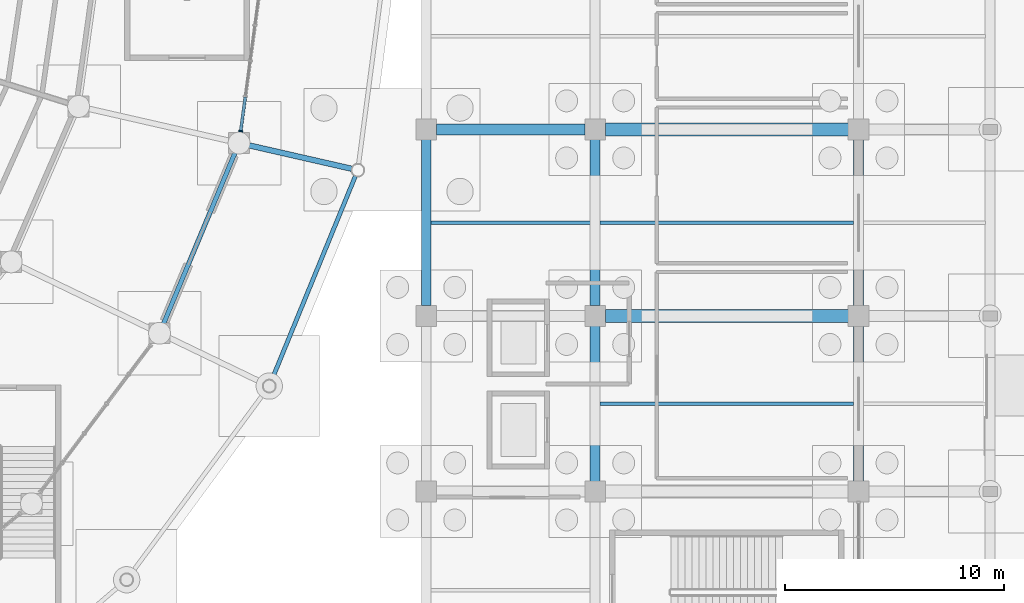
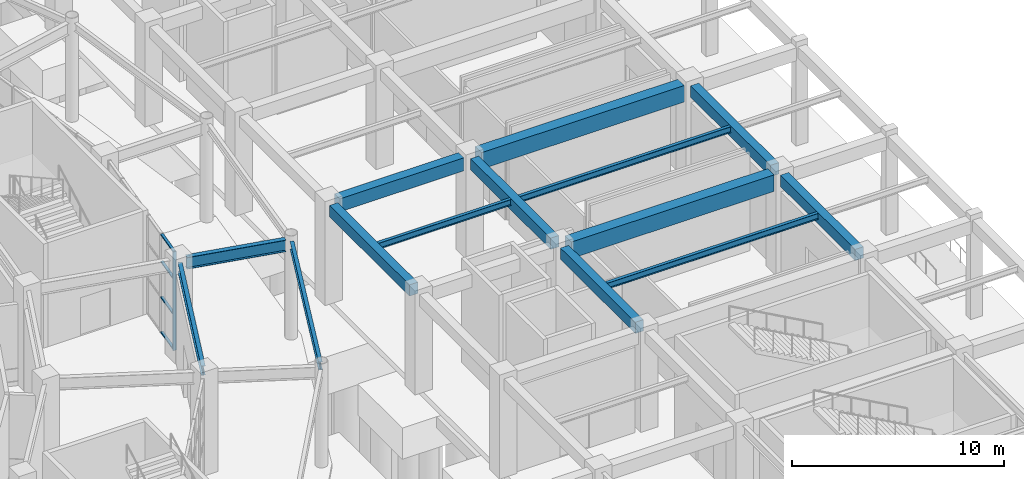
# One storey, part 56 of 121: 14 beams, 5 members, 1 element without a shape of its own.
"""IFC4 building model written with IfcOpenShell, lengths in metres."""

from ifc_helpers import new_model, si_unit, direction, frame, origin, origin_2d, place, context, subcontext, project, spatial, rectangle, i_section, extrude, material, material_profile, profile_set, type_object, element, aggregate, save


model = new_model("IFC4")

# Units and contexts
model_context = context("Model", 3, precision=1e-05, world=origin(), true_north=direction((0.0, 1.0)))
body_context = subcontext(model_context, "Body", "Model", "MODEL_VIEW")
ifc_project = project(units=[si_unit("LENGTHUNIT", "METRE"), si_unit("AREAUNIT", "SQUARE_METRE"), si_unit("VOLUMEUNIT", "CUBIC_METRE"), si_unit("PLANEANGLEUNIT", "RADIAN"), si_unit("MASSUNIT", "GRAM", prefix="KILO")], contexts=[model_context])

# Site, building, storey
site_placement = place(None, origin())
site = spatial("IfcSite", under=ifc_project, at=site_placement, CompositionType="ELEMENT")
building_placement = place(site_placement, origin())
building = spatial("IfcBuilding", under=site, at=building_placement, Name="Cuetzalor Civic Arena", CompositionType="ELEMENT")
storey_placement = place(building_placement, origin())
storey = spatial("IfcBuildingStorey", under=building, at=storey_placement, Name="L00", CompositionType="ELEMENT", Elevation=0.0)

# Beams
ifc_material_1 = material(Name="Concrete C40/50", Category="concrete")
ifc_material_profile_1 = material_profile(ifc_material_1, rectangle(XDim=0.5, YDim=0.75, at=origin_2d()), Name="RC 500x750")
ifc_profile_set_1 = profile_set([ifc_material_profile_1], Name="Concrete C40/50")
beam_type_1 = type_object("IfcBeamType", Name="ConcreteFrameBeam_500x750", PredefinedType="BEAM", material=ifc_profile_set_1)
beam_1_placement = place(storey_placement, frame((56.764892578125, -8.5, 5.324951171875), z_axis=(1.0, 0.0, 0.0), x_axis=(0.0, 1.0, 0.0)))
element("IfcBeam", 1, at=beam_1_placement, inside=storey, type_object=beam_type_1, Name="Frame Girder V4E-L00-X0153", PredefinedType="BEAM", context=body_context, shape_type="SweptSolid", body=[
    extrude(rectangle(XDim=0.5, YDim=0.75, at=origin_2d()), origin(), (0.0, 0.0, 1.0), 6.77001953125),
])
ifc_material_2 = material(Name="Concrete C40/50", Category="concrete")
ifc_material_profile_2 = material_profile(ifc_material_2, rectangle(XDim=0.60009765625, YDim=0.949951171875, at=origin_2d()), Name="RC 600x950")
ifc_profile_set_2 = profile_set([ifc_material_profile_2], Name="Concrete C40/50")
beam_type_2 = type_object("IfcBeamType", Name="ConcreteFrameBeam_600x950", PredefinedType="BEAM", material=ifc_profile_set_2)
for number, where, z_axis, x_axis, name in (
    (2, (64.465087890625, -17.0, 5.22509765625), (1.0, 0.0, 0.0), (0.0, 1.0, 0.0), "Frame Girder V4E-L00-X0151"),
    (3, (64.465087890625, -8.5, 5.22509765625), (1.0, 0.0, 0.0), (0.0, 1.0, 0.0), "Frame Girder V4E-L00-X0154"),
):
    element("IfcBeam", number, at=place(storey_placement, frame(where, z_axis=z_axis, x_axis=x_axis)), inside=storey, type_object=beam_type_2, Name=name, PredefinedType="BEAM", context=body_context, shape_type="SweptSolid", body=[
        extrude(rectangle(XDim=0.60009765625, YDim=0.949951171875, at=origin_2d()), origin(), (0.0, 0.0, 1.0), 11.06982421875),
    ])
ifc_material_3 = material(Name="Concrete C40/50", Category="concrete")
ifc_material_profile_3 = material_profile(ifc_material_3, rectangle(XDim=0.449951171875, YDim=0.64990234375, at=origin_2d()), Name="RC 450x650")
ifc_profile_set_3 = profile_set([ifc_material_profile_3], Name="Concrete C40/50")
beam_type_3 = type_object("IfcBeamType", Name="ConcreteTieBeam_450x650", PredefinedType="BEAM", material=ifc_profile_set_3)
beam_2_placement = place(storey_placement, frame((56.300048828125, -16.534912109375, 5.375), z_axis=(0.0, 1.0, 0.0), x_axis=(-1.0, 0.0, 0.0)))
element("IfcBeam", 4, at=beam_2_placement, inside=storey, type_object=beam_type_3, Name="Frame Girder V4E-L00-Y0177", PredefinedType="BEAM", context=body_context, shape_type="SweptSolid", body=[
    extrude(rectangle(XDim=0.449951171875, YDim=0.64990234375, at=origin_2d()), origin(), (0.0, 0.0, 1.0), 7.56982421875),
])
beam_3_placement = place(storey_placement, frame((64.0, -24.534912109375, 5.375), z_axis=(0.0, 1.0, 0.0), x_axis=(-1.0, 0.0, 0.0)))
element("IfcBeam", 5, at=beam_3_placement, inside=storey, type_object=beam_type_3, Name="Frame Girder V4E-L00-Y0186", PredefinedType="BEAM", context=body_context, shape_type="SweptSolid", body=[
    extrude(rectangle(XDim=0.449951171875, YDim=0.64990234375, at=origin_2d()), origin(), (0.0, 0.0, 1.0), 7.06982421875),
])
beam_4_placement = place(storey_placement, frame((64.0, -16.534912109375, 5.375), z_axis=(0.0, 1.0, 0.0), x_axis=(-1.0, 0.0, 0.0)))
element("IfcBeam", 6, at=beam_4_placement, inside=storey, type_object=beam_type_3, Name="Frame Girder V4E-L00-Y0187", PredefinedType="BEAM", context=body_context, shape_type="SweptSolid", body=[
    extrude(rectangle(XDim=0.449951171875, YDim=0.64990234375, at=origin_2d()), origin(), (0.0, 0.0, 1.0), 7.56982421875),
])
beam_5_placement = place(storey_placement, frame((76.0, -24.534912109375, 5.375), z_axis=(0.0, 1.0, 0.0), x_axis=(-1.0, 0.0, 0.0)))
element("IfcBeam", 7, at=beam_5_placement, inside=storey, type_object=beam_type_3, Name="Frame Girder V4E-L00-Y0196", PredefinedType="BEAM", context=body_context, shape_type="SweptSolid", body=[
    extrude(rectangle(XDim=0.449951171875, YDim=0.64990234375, at=origin_2d()), origin(), (0.0, 0.0, 1.0), 7.06982421875),
])
beam_6_placement = place(storey_placement, frame((76.0, -16.534912109375, 5.375), z_axis=(0.0, 1.0, 0.0), x_axis=(-1.0, 0.0, 0.0)))
element("IfcBeam", 8, at=beam_6_placement, inside=storey, type_object=beam_type_3, Name="Frame Girder V4E-L00-Y0197", PredefinedType="BEAM", context=body_context, shape_type="SweptSolid", body=[
    extrude(rectangle(XDim=0.449951171875, YDim=0.64990234375, at=origin_2d()), origin(), (0.0, 0.0, 1.0), 7.56982421875),
])

# Curtain wall, members
ifc_material_4 = material(Name="Anodised dark bronze aluminium and low-E solar glass", Category="aluminium")
curtain_wall_type = type_object("IfcCurtainWallType", Name="UnitisedCW_8150x5700", PredefinedType="USERDEFINED", material=ifc_material_4)
curtain_wall_placement = place(storey_placement, origin())
curtain_wall = element("IfcCurtainWall", 9, at=curtain_wall_placement, inside=storey, type_object=curtain_wall_type, Name="Drum Ground Recessed Concourse Curtain Wall L00-020", ObjectType="UNITISED CURTAIN WALL", PredefinedType="USERDEFINED")
ifc_material_5 = material(Name="Anodised dark bronze aluminium", Category="aluminium")
ifc_material_profile_4 = material_profile(ifc_material_5, rectangle(XDim=0.070068359375, YDim=0.179931640625, at=origin_2d()), Name="ALU MULLION 70x180")
ifc_profile_set_4 = profile_set([ifc_material_profile_4], Name="Anodised dark bronze aluminium")
member_type_1 = type_object("IfcMemberType", Name="CurtainWallMullion_65x180", PredefinedType="MULLION", material=ifc_profile_set_4)
member_1_placement = place(storey_placement, frame((47.844970703125, -8.5771484375, 0.0), z_axis=(0.0, 0.0, 1.0), x_axis=(-0.133443440892, -0.991056430322, 0.0)))
member_1 = element("IfcMember", 10, at=member_1_placement, type_object=member_type_1, Name="CW-01 mullion 6", PredefinedType="MULLION", context=body_context, shape_type="SweptSolid", body=[
    extrude(rectangle(XDim=0.070068359375, YDim=0.179931640625, at=origin_2d()), origin(), (0.0, 0.0, 1.0), 5.699951171875),
])
ifc_material_6 = material(Name="Anodised dark bronze aluminium", Category="aluminium")
ifc_material_profile_5 = material_profile(ifc_material_6, rectangle(XDim=0.139892578125, YDim=0.070068359375, at=origin_2d()), Name="ALU TRANSOM 70x140")
ifc_profile_set_5 = profile_set([ifc_material_profile_5], Name="Anodised dark bronze aluminium")
member_type_2 = type_object("IfcMemberType", Name="CurtainWallTransom_65x140", PredefinedType="USERDEFINED", material=ifc_profile_set_5)
member_2_placement = place(storey_placement, frame((48.053955078125, -7.026611328125, 0.034912109375), z_axis=(-0.133439146266, -0.991057008574, 0.0), x_axis=(0.991057008574, -0.133439146266, 0.0)))
member_2 = element("IfcMember", 11, at=member_2_placement, type_object=member_type_2, Name="CW-01 transom 5.1", ObjectType="TRANSOM", PredefinedType="USERDEFINED", context=body_context, shape_type="SweptSolid", body=[
    extrude(rectangle(XDim=0.139892578125, YDim=0.070068359375, at=origin_2d()), origin(), (0.0, 0.0, 1.0), 1.529541015625),
])
member_3_placement = place(storey_placement, frame((48.053955078125, -7.026611328125, 2.052001953125), z_axis=(-0.133439146266, -0.991057008574, 0.0), x_axis=(0.991057008574, -0.133439146266, 0.0)))
member_3 = element("IfcMember", 12, at=member_3_placement, type_object=member_type_2, Name="CW-01 transom 5.2", ObjectType="TRANSOM", PredefinedType="USERDEFINED", context=body_context, shape_type="SweptSolid", body=[
    extrude(rectangle(XDim=0.139892578125, YDim=0.070068359375, at=origin_2d()), origin(), (0.0, 0.0, 1.0), 1.529541015625),
])
member_4_placement = place(storey_placement, frame((48.053955078125, -7.026611328125, 4.10400390625), z_axis=(-0.133439146266, -0.991057008574, 0.0), x_axis=(0.991057008574, -0.133439146266, 0.0)))
member_4 = element("IfcMember", 13, at=member_4_placement, type_object=member_type_2, Name="CW-01 transom 5.3", ObjectType="TRANSOM", PredefinedType="USERDEFINED", context=body_context, shape_type="SweptSolid", body=[
    extrude(rectangle(XDim=0.139892578125, YDim=0.070068359375, at=origin_2d()), origin(), (0.0, 0.0, 1.0), 1.529541015625),
])
member_5_placement = place(storey_placement, frame((48.053955078125, -7.026611328125, 5.6650390625), z_axis=(-0.133439146266, -0.991057008574, 0.0), x_axis=(0.991057008574, -0.133439146266, 0.0)))
member_5 = element("IfcMember", 14, at=member_5_placement, type_object=member_type_2, Name="CW-01 transom 5.4", ObjectType="TRANSOM", PredefinedType="USERDEFINED", context=body_context, shape_type="SweptSolid", body=[
    extrude(rectangle(XDim=0.139892578125, YDim=0.070068359375, at=origin_2d()), origin(), (0.0, 0.0, 1.0), 1.529541015625),
])
aggregate(curtain_wall, [member_1, member_2, member_3, member_4, member_5])

# Beams
ifc_material_7 = material(Name="Steel S355", Category="steel")
ifc_material_profile_6 = material_profile(ifc_material_7, i_section(OverallWidth=0.18994140625, OverallDepth=0.45703125, WebThickness=0.009033203125, FlangeThickness=0.014404296875, at=origin_2d()), Name="W460x74")
ifc_profile_set_6 = profile_set([ifc_material_profile_6], Name="Steel S355")
beam_type_4 = type_object("IfcBeamType", Name="FacadeSpandrelBeam_W460", PredefinedType="SPANDREL", material=ifc_profile_set_6)
beam_7_placement = place(storey_placement, frame((49.2578125, -19.928955078125, 5.471435546875), z_axis=(0.379398599643, 0.925233323324, 0.0), x_axis=(-0.925233323324, 0.379398599643, 0.0)))
element("IfcBeam", 15, at=beam_7_placement, inside=storey, type_object=beam_type_4, Name="Drum Perimeter Spandrel L00-S27", PredefinedType="SPANDREL", context=body_context, shape_type="SweptSolid", body=[
    extrude(i_section(OverallWidth=0.18994140625, OverallDepth=0.45703125, WebThickness=0.009033203125, FlangeThickness=0.014404296875, at=origin_2d()), origin(), (0.0, 0.0, 1.0), 10.053955078125),
])
ifc_material_8 = material(Name="Steel S355", Category="steel")
ifc_material_profile_7 = material_profile(ifc_material_8, i_section(OverallWidth=0.1708984375, OverallDepth=0.35498046875, WebThickness=0.007080078125, FlangeThickness=0.01171875, at=origin_2d()), Name="W360x51")
ifc_profile_set_7 = profile_set([ifc_material_profile_7], Name="Steel S355")
beam_type_5 = type_object("IfcBeamType", Name="SecondaryFloorJoist_W360", PredefinedType="JOIST", material=ifc_profile_set_7)
beam_8_placement = place(storey_placement, frame((56.51708984375, -12.75, 5.5224609375), z_axis=(1.0, 0.0, 0.0), x_axis=(0.0, 1.0, 0.0)))
element("IfcBeam", 16, at=beam_8_placement, inside=storey, type_object=beam_type_5, Name="Secondary Floor Joist V4E-L00-0048", PredefinedType="JOIST", context=body_context, shape_type="SweptSolid", body=[
    extrude(i_section(OverallWidth=0.1708984375, OverallDepth=0.35498046875, WebThickness=0.007080078125, FlangeThickness=0.01171875, at=origin_2d()), origin(), (0.0, 0.0, 1.0), 7.265869140625),
])
for number, where, z_axis, x_axis, name in (
    (17, (64.217041015625, -21.0, 5.5224609375), (1.0, 0.0, 0.0), (0.0, 1.0, 0.0), "Secondary Floor Joist V4E-L00-0055"),
    (18, (64.217041015625, -12.75, 5.5224609375), (1.0, 0.0, 0.0), (0.0, 1.0, 0.0), "Secondary Floor Joist V4E-L00-0056"),
):
    element("IfcBeam", number, at=place(storey_placement, frame(where, z_axis=z_axis, x_axis=x_axis)), inside=storey, type_object=beam_type_5, Name=name, PredefinedType="JOIST", context=body_context, shape_type="SweptSolid", body=[
        extrude(i_section(OverallWidth=0.1708984375, OverallDepth=0.35498046875, WebThickness=0.007080078125, FlangeThickness=0.01171875, at=origin_2d()), origin(), (0.0, 0.0, 1.0), 11.56591796875),
    ])
ifc_material_9 = material(Name="Steel S355", Category="steel")
ifc_material_profile_8 = material_profile(ifc_material_9, i_section(OverallWidth=0.208984375, OverallDepth=0.532958984375, WebThickness=0.01025390625, FlangeThickness=0.015625, at=origin_2d()), Name="W530x92")
ifc_profile_set_8 = profile_set([ifc_material_profile_8], Name="Steel S355")
beam_type_6 = type_object("IfcBeamType", Name="SteelCollarGirder_W530", PredefinedType="BEAM", material=ifc_profile_set_8)
beam_9_placement = place(storey_placement, frame((44.290283203125, -17.44775390625, 5.43359375), z_axis=(0.385813116722, 0.922576955579, 0.0), x_axis=(-0.922576955579, 0.385813116722, 0.0)))
element("IfcBeam", 19, at=beam_9_placement, inside=storey, type_object=beam_type_6, Name="Drum Concourse Ring Girder L00-S27", PredefinedType="BEAM", context=body_context, shape_type="SweptSolid", body=[
    extrude(i_section(OverallWidth=0.208984375, OverallDepth=0.532958984375, WebThickness=0.01025390625, FlangeThickness=0.015625, at=origin_2d()), origin(), (0.0, 0.0, 1.0), 8.65283203125),
])
ifc_material_10 = material(Name="Steel S355", Category="steel")
ifc_material_profile_9 = material_profile(ifc_material_10, i_section(OverallWidth=0.2529296875, OverallDepth=0.677978515625, WebThickness=0.01171875, FlangeThickness=0.016357421875, at=origin_2d()), Name="W690x125")
ifc_profile_set_9 = profile_set([ifc_material_profile_9], Name="Steel S355")
beam_type_7 = type_object("IfcBeamType", Name="SteelPrimaryGirder_W690", PredefinedType="BEAM", material=ifc_profile_set_9)
beam_10_placement = place(storey_placement, frame((48.12255859375, -9.20361328125, 5.361083984375), z_axis=(0.974939153271, -0.222471677792, 0.0), x_axis=(0.222471677792, 0.974939153271, 0.0)))
element("IfcBeam", 20, at=beam_10_placement, inside=storey, type_object=beam_type_7, Name="Drum Radial Girder L00-R28", PredefinedType="BEAM", context=body_context, shape_type="SweptSolid", body=[
    extrude(i_section(OverallWidth=0.2529296875, OverallDepth=0.677978515625, WebThickness=0.01171875, FlangeThickness=0.016357421875, at=origin_2d()), origin(), (0.0, 0.0, 1.0), 4.89990234375),
])

save(model, "model.ifc")
